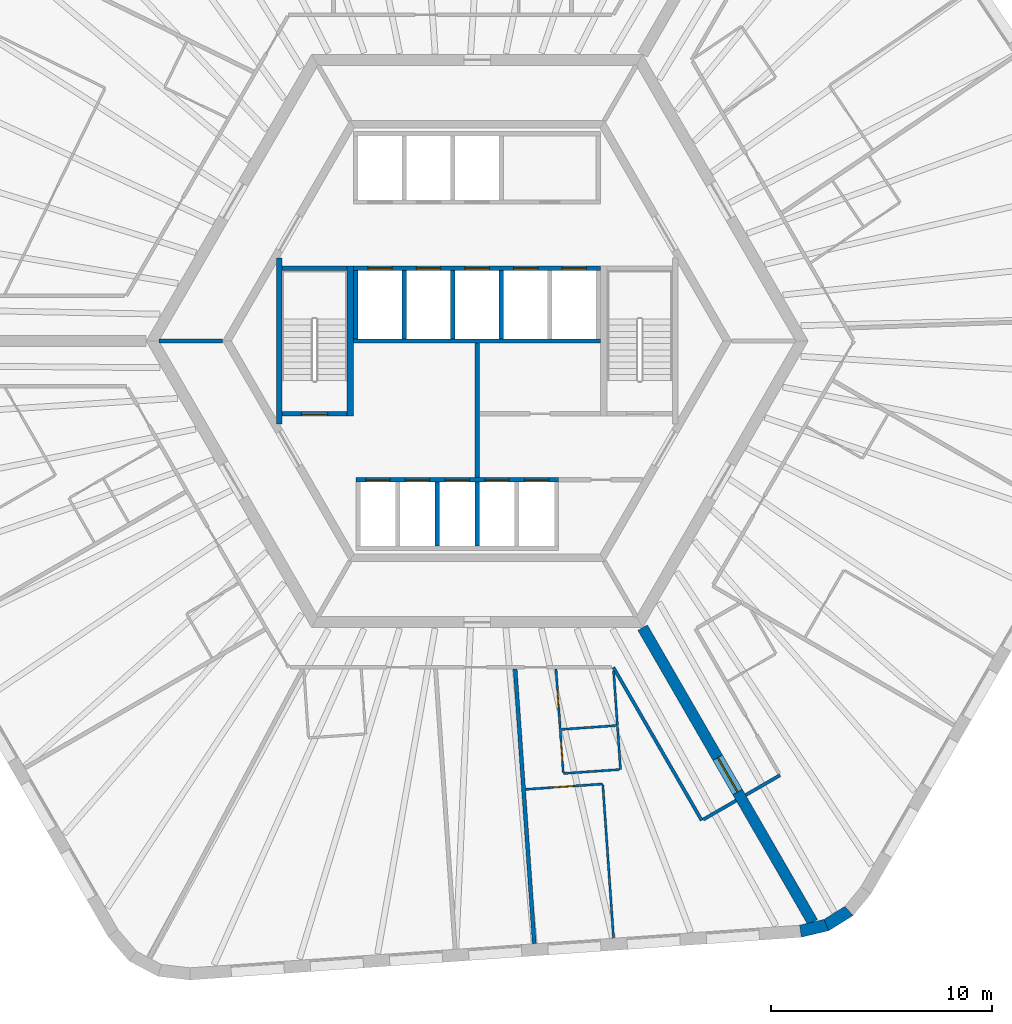
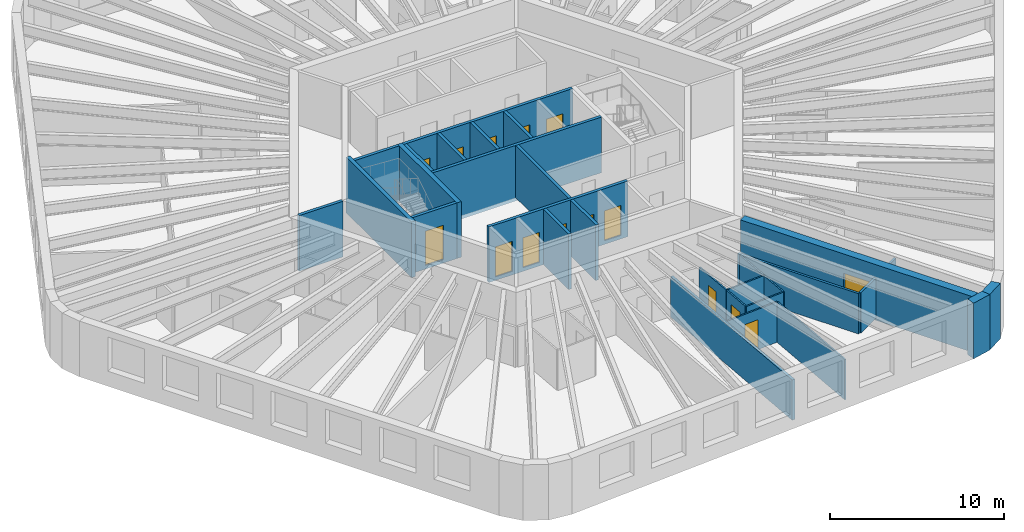
# One storey, part 4 of 10: 30 walls, 15 doors, 15 openings.
"""IFC4 building model written with IfcOpenShell, lengths in metres."""

import ifcopenshell
import ifcopenshell.guid

model = None  # the IFC model being written
_history = None  # IfcOwnerHistory: only IFC2X3 demands one
_inside = {}  # id of a spatial element -> (the spatial element, [elements in it])
_under = {}  # id of a project, library or spatial element -> (it, [spatial elements below it])
_declared = {}  # id of a project -> (the project, [libraries it declares])
_typed = {}  # id of a type object -> (the type object, [elements of that type])
_made_of = {}  # id of a material, layer set ... -> (it, [elements and type objects made of it])


def new_model(schema):
    """Start an empty IFC model of exactly this schema.

    Asked for "IFC4X3", IfcOpenShell would pick the latest addendum, in which some entities
    have other attributes; the version numbers below select the first issue.
    IFC2X3 requires an IfcOwnerHistory on every rooted entity: one is made here for all.
    """
    global model, _history
    if schema == "IFC4X3":
        model = ifcopenshell.file(schema_version=(4, 3, 0, 0))
    else:
        model = ifcopenshell.file(schema=schema)
    _inside.clear()
    _under.clear()
    _declared.clear()
    _typed.clear()
    _made_of.clear()
    _history = None
    if model.schema == "IFC2X3":
        org = make("IfcOrganization", Name="unknown")
        user = make(
            "IfcPersonAndOrganization",
            ThePerson=make("IfcPerson", FamilyName="unknown"),
            TheOrganization=org,
        )
        app = make(
            "IfcApplication",
            ApplicationDeveloper=org,
            Version="unknown",
            ApplicationFullName="unknown",
            ApplicationIdentifier="unknown",
        )
        _history = make(
            "IfcOwnerHistory",
            OwningUser=user,
            OwningApplication=app,
            ChangeAction="ADDED",
            CreationDate=0,
        )
    return model


def make(cls, **values):
    """One entity of the class cls with the attributes given. An attribute that is None is left unset."""
    return model.create_entity(
        cls, **{name: value for name, value in values.items() if value is not None}
    )


def rooted(cls, **values):
    """An entity with a GlobalId (a new one), such as an element, a storey or a relation."""
    return make(cls, GlobalId=ifcopenshell.guid.new(), OwnerHistory=_history, **values)


def si_unit(unit_type, name, prefix=None):
    """IfcSIUnit, for example si_unit("LENGTHUNIT", "METRE", prefix="MILLI")."""
    return make("IfcSIUnit", UnitType=unit_type, Prefix=prefix, Name=name)


def assignment(units):
    """IfcUnitAssignment: the units of a project."""
    return None if units is None else make("IfcUnitAssignment", Units=units)


def point(xyz):
    """IfcCartesianPoint."""
    return None if xyz is None else make("IfcCartesianPoint", Coordinates=xyz)


def direction(xyz):
    """IfcDirection."""
    return None if xyz is None else make("IfcDirection", DirectionRatios=xyz)


def frame(location, z_axis=None, x_axis=None):
    """IfcAxis2Placement3D, a coordinate frame: its origin and axes. An axis left out is left unset."""
    return make(
        "IfcAxis2Placement3D",
        Location=point(location),
        Axis=direction(z_axis),
        RefDirection=direction(x_axis),
    )


def frame_2d(location, x_axis=None):
    """IfcAxis2Placement2D, a coordinate frame in the plane: its origin and x axis."""
    return make(
        "IfcAxis2Placement2D", Location=point(location), RefDirection=direction(x_axis)
    )


def origin():
    """The frame at (0, 0, 0) with its axes left unset."""
    return frame((0.0, 0.0, 0.0))


def place(relative_to, where):
    """IfcLocalPlacement: puts the frame where relative to a parent placement (None: the world)."""
    return make(
        "IfcLocalPlacement", PlacementRelTo=relative_to, RelativePlacement=where
    )


def context(
    kind, dimensions, precision=None, world=None, true_north=None, identifier=None
):
    """IfcGeometricRepresentationContext, for example the 3D "Model" context."""
    return make(
        "IfcGeometricRepresentationContext",
        ContextIdentifier=identifier,
        ContextType=kind,
        CoordinateSpaceDimension=dimensions,
        Precision=precision,
        WorldCoordinateSystem=world,
        TrueNorth=true_north,
    )


def subcontext(parent, identifier, kind, view, scale=None):
    """IfcGeometricRepresentationSubContext, for example "Body" below "Model"."""
    return make(
        "IfcGeometricRepresentationSubContext",
        ContextIdentifier=identifier,
        ContextType=kind,
        ParentContext=parent,
        TargetScale=scale,
        TargetView=view,
    )


def project(units=None, contexts=None):
    """IfcProject with its units and contexts."""
    return rooted(
        "IfcProject",
        Name="project",
        RepresentationContexts=contexts,
        UnitsInContext=assignment(units),
    )


def spatial(cls, under=None, at=None, **own):
    """A site, building, storey or space (cls), placed at a placement, below another one or the project."""
    s = rooted(cls, ObjectPlacement=at, **own)
    if under is not None:
        _under.setdefault(under.id(), (under, []))[1].append(s)
    return s


def polyline(points):
    """IfcPolyline through the points."""
    return make("IfcPolyline", Points=[point(p) for p in points])


def profile(cls, at=None, kind="AREA", **sizes):
    """A parametric profile (cls). Its sizes go by their IFC names, for example OverallWidth=200.0."""
    return make(cls, ProfileType=kind, Position=at, **sizes)


def rectangle(**sizes):
    """IfcRectangleProfileDef."""
    return profile("IfcRectangleProfileDef", **sizes)


def outline(outer, holes=None, kind="AREA"):
    """IfcArbitraryClosedProfileDef: a profile drawn as a closed curve; with holes, ...WithVoids."""
    if holes is None:
        return make("IfcArbitraryClosedProfileDef", ProfileType=kind, OuterCurve=outer)
    return make(
        "IfcArbitraryProfileDefWithVoids",
        ProfileType=kind,
        OuterCurve=outer,
        InnerCurves=holes,
    )


def extrude(swept, where, along, depth):
    """IfcExtrudedAreaSolid: the profile swept, set in the frame where, extruded along a direction by depth."""
    return make(
        "IfcExtrudedAreaSolid",
        SweptArea=swept,
        Position=where,
        ExtrudedDirection=direction(along),
        Depth=depth,
    )


def shape(context_of_items, identifier, shape_type, items):
    """IfcShapeRepresentation: the items that make up one representation, for example the "Body"."""
    return make(
        "IfcShapeRepresentation",
        ContextOfItems=context_of_items,
        RepresentationIdentifier=identifier,
        RepresentationType=shape_type,
        Items=items,
    )


def material(Name=None, Category=None):
    """IfcMaterial."""
    return make("IfcMaterial", Name=Name, Category=Category)


def layer(
    of_material, thickness, ventilated=None, Name=None, Category=None, Priority=None
):
    """IfcMaterialLayer: one layer of a wall or slab, of a material (None: an air gap)."""
    return make(
        "IfcMaterialLayer",
        Material=of_material,
        LayerThickness=thickness,
        IsVentilated=ventilated,
        Name=Name,
        Category=Category,
        Priority=Priority,
    )


def layer_set(layers, Name=None):
    """IfcMaterialLayerSet."""
    return make("IfcMaterialLayerSet", MaterialLayers=layers, LayerSetName=Name)


def made_of(thing, what):
    """Note that an element or type object is made of a material, layer set ...; save() writes the relation."""
    if what is not None:
        _made_of.setdefault(what.id(), (what, []))[1].append(thing)
    return thing


def type_object(cls, material=None, **own):
    """A type object (cls), such as IfcWallType, which elements share."""
    return made_of(rooted(cls, **own), material)


def element(
    cls,
    number,
    at=None,
    inside=None,
    cuts=None,
    type_object=None,
    material=None,
    context=None,
    identifier="Body",
    shape_type=None,
    held_by="IfcProductDefinitionShape",
    body=None,
    shapes=None,
    **own,
):
    """One element of the class cls, such as IfcWall. Its Tag is "e" and its number.

    at: its placement. inside: the storey or other place that contains it. cuts: it is an
    opening in that element (IfcRelVoidsElement). A single representation is given by context,
    identifier, shape_type and body (its items); several are given by shapes. held_by: the class
    of the entity that holds the representations. save() writes the other relations.
    """
    e = rooted(cls, Tag="e%d" % number, ObjectPlacement=at, **own)
    if body is not None:
        shapes = [shape(context, identifier, shape_type, body)]
    if shapes is not None:
        e.Representation = make(held_by, Representations=shapes)
    if inside is not None:
        _inside.setdefault(inside.id(), (inside, []))[1].append(e)
    if cuts is not None:
        rooted(
            "IfcRelVoidsElement", RelatingBuildingElement=cuts, RelatedOpeningElement=e
        )
    if type_object is not None:
        _typed.setdefault(type_object.id(), (type_object, []))[1].append(e)
    return made_of(e, material)


def fill(opening, filler):
    """IfcRelFillsElement: the door or window that sits in an opening."""
    return rooted(
        "IfcRelFillsElement",
        RelatingOpeningElement=opening,
        RelatedBuildingElement=filler,
    )


def aggregate(whole, parts):
    """IfcRelAggregates: a whole, such as a stair, and the parts it consists of."""
    return rooted("IfcRelAggregates", RelatingObject=whole, RelatedObjects=parts)


def save(model, path):
    """Write the relations noted so far, then the file.

    IfcRelAggregates (storeys below a building ...), IfcRelContainedInSpatialStructure (elements
    in a storey), IfcRelDefinesByType, IfcRelAssociatesMaterial and IfcRelDeclares: one each for
    every whole, place, type object, material and project.
    """
    for whole, parts in _under.values():
        aggregate(whole, parts)
    for where, things in _inside.values():
        rooted(
            "IfcRelContainedInSpatialStructure",
            RelatedElements=things,
            RelatingStructure=where,
        )
    for kind, things in _typed.values():
        rooted("IfcRelDefinesByType", RelatedObjects=things, RelatingType=kind)
    for what, things in _made_of.values():
        rooted("IfcRelAssociatesMaterial", RelatedObjects=things, RelatingMaterial=what)
    for by, libraries in _declared.values():
        rooted("IfcRelDeclares", RelatingContext=by, RelatedDefinitions=libraries)
    model.write(path)


model = new_model("IFC4")

# Units and contexts
model_context = context("Model", 3, precision=1e-05, world=origin(), true_north=direction((0.0, 1.0)))
body_context = subcontext(model_context, "Body", "Model", "MODEL_VIEW")
ifc_project = project(units=[si_unit("LENGTHUNIT", "METRE"), si_unit("AREAUNIT", "SQUARE_METRE"), si_unit("VOLUMEUNIT", "CUBIC_METRE"), si_unit("PLANEANGLEUNIT", "RADIAN"), si_unit("MASSUNIT", "GRAM", prefix="KILO")], contexts=[model_context])

# Site, building, storey
site_placement = place(None, origin())
site = spatial("IfcSite", under=ifc_project, at=site_placement, CompositionType="ELEMENT")
building_placement = place(site_placement, origin())
building = spatial("IfcBuilding", under=site, at=building_placement, Name="Tarnside Tower", CompositionType="ELEMENT")
storey_placement = place(building_placement, frame((0.0, 0.0, 160.5)))
storey = spatial("IfcBuildingStorey", under=building, at=storey_placement, Name="L37", CompositionType="ELEMENT", Elevation=160.5)

# Wall, opening, door
ifc_material_1 = material(Name="Gypsum board partition on steel studs", Category="steel")
ifc_layer_1 = layer(ifc_material_1, 0.10009765625)
ifc_layer_set_1 = layer_set([ifc_layer_1], Name="Bathroom wall 100")
wall_type_1 = type_object("IfcWallType", Name="Bathroom wall 100", PredefinedType="PARTITIONING", material=ifc_layer_set_1)
wall_1_placement = place(storey_placement, frame((3.7685546875, -17.619384765625, 0.0), z_axis=(0.0, 0.0, 1.0), x_axis=(-0.06975229722, 0.997564342302, 0.0)))
wall_1 = element("IfcWall", 1, at=wall_1_placement, inside=storey, type_object=wall_type_1, Name="Bathroom wall 11086", PredefinedType="PARTITIONING", context=body_context, shape_type="SweptSolid", body=[
    extrude(rectangle(XDim=2.7509765625, YDim=0.10009765625, at=frame_2d((1.37548828125, 0.0))), origin(), (0.0, 0.0, 1.0), 2.823486328125),
])
opening_1_placement = place(wall_1_placement, frame((1.0, 0.0, 0.0)))
opening_1 = element("IfcOpeningElement", 2, at=opening_1_placement, cuts=wall_1, Name="Opening D-B1", PredefinedType="OPENING", context=body_context, shape_type="SweptSolid", body=[
    extrude(rectangle(XDim=0.800048828125, YDim=2.10009765625, at=frame_2d((0.39990234375, 1.050048828125))), frame((0.0, 0.06005859375, 0.0), z_axis=(0.0, -1.0, 0.0), x_axis=(1.0, 0.0, 0.0)), (0.0, 0.0, 1.0), 0.1201171875),
])
ifc_material_2 = material(Name="Timber door leaf", Category="wood")
door_type_1 = type_object("IfcDoorType", Name="Bathroom door 800", OperationType="NOTDEFINED", PredefinedType="DOOR", material=ifc_material_2)
door_1_placement = place(opening_1_placement, origin())
door_1 = element("IfcDoor", 3, at=door_1_placement, inside=storey, type_object=door_type_1, Name="Bathroom door 11022", OperationType="SINGLE_SWING_RIGHT", OverallHeight=2.10009765625, OverallWidth=0.800048828125, PredefinedType="DOOR", context=body_context, shape_type="SweptSolid", body=[
    extrude(rectangle(XDim=0.800048828125, YDim=2.10009765625, at=frame_2d((0.39990234375, 1.050048828125))), frame((0.0, 0.02490234375, 0.0), z_axis=(0.0, -1.0, 0.0), x_axis=(1.0, 0.0, 0.0)), (0.0, 0.0, 1.0), 0.050048828125),
])
fill(opening_1, door_1)

# Walls
wall_2_placement = place(storey_placement, frame((6.189697265625, -14.970703125, 0.0), z_axis=(0.0, 0.0, 1.0), x_axis=(0.069689641529, -0.997568721374, 0.0)))
element("IfcWall", 4, at=wall_2_placement, inside=storey, type_object=wall_type_1, Name="Bathroom wall 11087", PredefinedType="PARTITIONING", context=body_context, shape_type="SweptSolid", body=[
    extrude(rectangle(XDim=2.473388671875, YDim=0.10009765625, at=frame_2d((1.23681640625, 0.0))), origin(), (0.0, 0.0, 1.0), 2.823486328125),
])
wall_3_placement = place(storey_placement, frame((3.818359375, -17.615966796875, 0.0), z_axis=(0.0, 0.0, 1.0), x_axis=(0.99755930726, 0.069824268692, 0.0)))
element("IfcWall", 5, at=wall_3_placement, inside=storey, type_object=wall_type_1, Name="Bathroom wall 11093", PredefinedType="PARTITIONING", context=body_context, shape_type="SweptSolid", body=[
    extrude(rectangle(XDim=2.5, YDim=0.10009765625, at=frame_2d((1.25, 0.0))), origin(), (0.0, 0.0, 1.0), 2.823486328125),
])
ifc_material_3 = material(Name="Concrete C40/50", Category="concrete")
ifc_layer_2 = layer(ifc_material_3, 0.199951171875)
ifc_layer_set_2 = layer_set([ifc_layer_2], Name="Core room partition 200 C40/50")
wall_type_2 = type_object("IfcWallType", Name="Core room partition 200 C40/50", PredefinedType="PARTITIONING", material=ifc_layer_set_2)
wall_4_placement = place(storey_placement, frame((0.0, -6.199951171875, 0.0), z_axis=(0.0, 0.0, 1.0), x_axis=(0.0, 1.0, 0.0)))
element("IfcWall", 6, at=wall_4_placement, inside=storey, type_object=wall_type_2, Name="L37 core partition X0", PredefinedType="PARTITIONING", context=body_context, shape_type="SweptSolid", body=[
    extrude(rectangle(XDim=6.099853515625, YDim=0.199951171875, at=frame_2d((3.0498046875, 0.0))), origin(), (0.0, 0.0, 1.0), 3.64990234375),
])

# Wall, opening, door
ifc_material_4 = material(Name="Concrete C70/85", Category="concrete")
ifc_layer_3 = layer(ifc_material_4, 0.5)
ifc_layer_set_3 = layer_set([ifc_layer_3], Name="Core wall Z2 500 C70/85")
wall_type_3 = type_object("IfcWallType", Name="Core wall Z2 500 C70/85", PredefinedType="SHEAR", material=ifc_layer_set_3)
wall_5_placement = place(storey_placement, frame((7.505615234375, -13.0, -0.14990234375), z_axis=(0.0, 0.0, 1.0), x_axis=(0.499988271576, -0.866032175087, 0.0)))
wall_5 = element("IfcWall", 7, at=wall_5_placement, inside=storey, type_object=wall_type_3, Name="L37 spine wall 3", PredefinedType="SHEAR", context=body_context, shape_type="SweptSolid", body=[
    extrude(rectangle(XDim=15.423583984375, YDim=0.5, at=frame_2d((7.7119140625, 0.0))), origin(), (0.0, 0.0, 1.0), 3.89990234375),
])
opening_2_placement = place(wall_5_placement, frame((6.811767578125, 0.0, 0.14990234375)))
opening_2 = element("IfcOpeningElement", 8, at=opening_2_placement, cuts=wall_5, Name="Opening CD-SPN", PredefinedType="OPENING", context=body_context, shape_type="SweptSolid", body=[
    extrude(rectangle(XDim=1.800048828125, YDim=2.39990234375, at=frame_2d((0.89990234375, 1.199951171875))), frame((0.0, 0.260009765625, 0.0), z_axis=(0.0, -1.0, 0.0), x_axis=(1.0, 0.0, 0.0)), (0.0, 0.0, 1.0), 0.52001953125),
])
ifc_material_5 = material(Name="Steel fire door", Category="steel")
door_type_2 = type_object("IfcDoorType", Name="Spine passage double door FD60 1800x2400", OperationType="NOTDEFINED", PredefinedType="DOOR", material=ifc_material_5)
door_2_placement = place(opening_2_placement, origin())
door_2 = element("IfcDoor", 9, at=door_2_placement, inside=storey, type_object=door_type_2, Name="L37 spine passage door 3", OperationType="DOUBLE_DOOR_SINGLE_SWING", OverallHeight=2.39990234375, OverallWidth=1.800048828125, PredefinedType="DOOR", context=body_context, shape_type="SweptSolid", body=[
    extrude(rectangle(XDim=1.800048828125, YDim=2.39990234375, at=frame_2d((0.89990234375, 1.199951171875))), frame((0.0, 0.02490234375, 0.0), z_axis=(0.0, -1.0, 0.0), x_axis=(1.0, 0.0, 0.0)), (0.0, 0.0, 1.0), 0.050048828125),
])
fill(opening_2, door_2)

# Walls
ifc_layer_4 = layer(ifc_material_1, 0.14990234375)
ifc_layer_set_4 = layer_set([ifc_layer_4], Name="Corridor wall 150 EI 60")
wall_type_4 = type_object("IfcWallType", Name="Corridor wall 150 EI 60", PredefinedType="PARTITIONING", material=ifc_layer_set_4)
wall_6_placement = place(storey_placement, frame((6.177734375, -14.800048828125, 0.0), z_axis=(0.0, 0.0, 1.0), x_axis=(0.499984309814, -0.866034462328, 0.0)))
element("IfcWall", 10, at=wall_6_placement, inside=storey, type_object=wall_type_4, Name="Corridor wall 11029", PredefinedType="PARTITIONING", context=body_context, shape_type="SweptSolid", body=[
    extrude(rectangle(XDim=8.016845703125, YDim=0.14990234375, at=frame_2d((4.00830078125, 0.0))), origin(), (0.0, 0.0, 1.0), 2.823486328125),
])
wall_7_placement = place(storey_placement, frame((10.2509765625, -21.705322265625, 0.0), z_axis=(0.0, 0.0, 1.0), x_axis=(0.866013532718, 0.500020560727, 0.0)))
element("IfcWall", 11, at=wall_7_placement, inside=storey, type_object=wall_type_4, Name="Corridor wall 11030", PredefinedType="PARTITIONING", context=body_context, shape_type="SweptSolid", body=[
    extrude(rectangle(XDim=1.72509765625, YDim=0.14990234375, at=frame_2d((0.862548828125, 0.0))), origin(), (0.0, 0.0, 1.0), 2.823486328125),
])
wall_8_placement = place(storey_placement, frame((12.177978515625, -20.5927734375, 0.0), z_axis=(0.0, 0.0, 1.0), x_axis=(0.866047807691, 0.499961193289, 0.0)))
element("IfcWall", 12, at=wall_8_placement, inside=storey, type_object=wall_type_4, Name="Corridor wall 11032", PredefinedType="PARTITIONING", context=body_context, shape_type="SweptSolid", body=[
    extrude(rectangle(XDim=1.800048828125, YDim=0.14990234375, at=frame_2d((0.89990234375, 0.0))), origin(), (0.0, 0.0, 1.0), 2.823486328125),
])
ifc_layer_5 = layer(ifc_material_1, 0.179931640625)
ifc_layer_set_5 = layer_set([ifc_layer_5], Name="Demising wall 180 EI 60")
wall_type_5 = type_object("IfcWallType", Name="Demising wall 180 EI 60", PredefinedType="PARTITIONING", material=ifc_layer_set_5)
wall_9_placement = place(storey_placement, frame((2.59521484375, -27.33544921875, 0.0), z_axis=(0.0, 0.0, 1.0), x_axis=(-0.069757939761, 0.997563947745, 0.0)))
element("IfcWall", 13, at=wall_9_placement, inside=storey, type_object=wall_type_5, Name="Demising wall 11084", PredefinedType="PARTITIONING", context=body_context, shape_type="SweptSolid", body=[
    extrude(rectangle(XDim=12.490966796875, YDim=0.179931640625, at=frame_2d((6.24560546875, 0.0))), origin(), (0.0, 0.0, 1.0), 2.823486328125),
])

# Wall, openings, doors
ifc_layer_6 = layer(ifc_material_3, 0.199951171875)
ifc_layer_set_6 = layer_set([ifc_layer_6], Name="Lift shaft wall 200 C40/50")
wall_type_6 = type_object("IfcWallType", Name="Lift shaft wall 200 C40/50", PredefinedType="SHEAR", material=ifc_layer_set_6)
wall_10_placement = place(storey_placement, frame((-5.60009765625, 3.300048828125, -0.25), z_axis=(0.0, 0.0, 1.0), x_axis=(1.0, 0.0, 0.0)))
wall_10 = element("IfcWall", 14, at=wall_10_placement, inside=storey, type_object=wall_type_6, Name="L37 lift shaft front wall R2", PredefinedType="SHEAR", context=body_context, shape_type="SweptSolid", body=[
    extrude(rectangle(XDim=11.2001953125, YDim=0.199951171875, at=frame_2d((5.60009765625, 0.0))), origin(), (0.0, 0.0, 1.0), 3.89990234375),
])
opening_3_placement = place(wall_10_placement, frame((0.64990234375, 0.0, 0.25)))
opening_3 = element("IfcOpeningElement", 15, at=opening_3_placement, cuts=wall_10, Name="Opening LD", PredefinedType="OPENING", context=body_context, shape_type="SweptSolid", body=[
    extrude(rectangle(XDim=1.10009765625, YDim=2.10009765625, at=frame_2d((0.550048828125, 1.050048828125))), frame((0.0, 0.10986328125, 0.0), z_axis=(0.0, -1.0, 0.0), x_axis=(1.0, 0.0, 0.0)), (0.0, 0.0, 1.0), 0.219970703125),
])
opening_4_placement = place(wall_10_placement, frame((2.85009765625, 0.0, 0.25)))
opening_4 = element("IfcOpeningElement", 16, at=opening_4_placement, cuts=wall_10, Name="Opening LD", PredefinedType="OPENING", context=body_context, shape_type="SweptSolid", body=[
    extrude(rectangle(XDim=1.10009765625, YDim=2.10009765625, at=frame_2d((0.550048828125, 1.050048828125))), frame((0.0, 0.10986328125, 0.0), z_axis=(0.0, -1.0, 0.0), x_axis=(1.0, 0.0, 0.0)), (0.0, 0.0, 1.0), 0.219970703125),
])
opening_5_placement = place(wall_10_placement, frame((5.050048828125, 0.0, 0.25)))
opening_5 = element("IfcOpeningElement", 17, at=opening_5_placement, cuts=wall_10, Name="Opening LD", PredefinedType="OPENING", context=body_context, shape_type="SweptSolid", body=[
    extrude(rectangle(XDim=1.10009765625, YDim=2.10009765625, at=frame_2d((0.550048828125, 1.050048828125))), frame((0.0, 0.10986328125, 0.0), z_axis=(0.0, -1.0, 0.0), x_axis=(1.0, 0.0, 0.0)), (0.0, 0.0, 1.0), 0.219970703125),
])
opening_6_placement = place(wall_10_placement, frame((7.25, 0.0, 0.25)))
opening_6 = element("IfcOpeningElement", 18, at=opening_6_placement, cuts=wall_10, Name="Opening LD", PredefinedType="OPENING", context=body_context, shape_type="SweptSolid", body=[
    extrude(rectangle(XDim=1.10009765625, YDim=2.10009765625, at=frame_2d((0.550048828125, 1.050048828125))), frame((0.0, 0.10986328125, 0.0), z_axis=(0.0, -1.0, 0.0), x_axis=(1.0, 0.0, 0.0)), (0.0, 0.0, 1.0), 0.219970703125),
])
opening_7_placement = place(wall_10_placement, frame((9.449951171875, 0.0, 0.25)))
opening_7 = element("IfcOpeningElement", 19, at=opening_7_placement, cuts=wall_10, Name="Opening LD", PredefinedType="OPENING", context=body_context, shape_type="SweptSolid", body=[
    extrude(rectangle(XDim=1.10009765625, YDim=2.10009765625, at=frame_2d((0.550048828125, 1.050048828125))), frame((0.0, 0.10986328125, 0.0), z_axis=(0.0, -1.0, 0.0), x_axis=(1.0, 0.0, 0.0)), (0.0, 0.0, 1.0), 0.219970703125),
])
ifc_material_6 = material(Name="Stainless steel", Category="steel")
door_type_3 = type_object("IfcDoorType", Name="Lift landing door 1100x2100", OperationType="NOTDEFINED", PredefinedType="DOOR", material=ifc_material_6)
door_3_placement = place(opening_3_placement, origin())
door_3 = element("IfcDoor", 20, at=door_3_placement, inside=storey, type_object=door_type_3, Name="Mid-rise lift 4 landing door L37", OperationType="SLIDING_TO_LEFT", OverallHeight=2.10009765625, OverallWidth=1.10009765625, PredefinedType="DOOR", context=body_context, shape_type="SweptSolid", body=[
    extrude(rectangle(XDim=1.10009765625, YDim=2.10009765625, at=frame_2d((0.550048828125, 1.050048828125))), frame((0.0, 0.02490234375, 0.0), z_axis=(0.0, -1.0, 0.0), x_axis=(1.0, 0.0, 0.0)), (0.0, 0.0, 1.0), 0.050048828125),
])
fill(opening_3, door_3)
door_4_placement = place(opening_4_placement, origin())
door_4 = element("IfcDoor", 21, at=door_4_placement, inside=storey, type_object=door_type_3, Name="Mid-rise lift 5 landing door L37", OperationType="SLIDING_TO_LEFT", OverallHeight=2.10009765625, OverallWidth=1.10009765625, PredefinedType="DOOR", context=body_context, shape_type="SweptSolid", body=[
    extrude(rectangle(XDim=1.10009765625, YDim=2.10009765625, at=frame_2d((0.550048828125, 1.050048828125))), frame((0.0, 0.02490234375, 0.0), z_axis=(0.0, -1.0, 0.0), x_axis=(1.0, 0.0, 0.0)), (0.0, 0.0, 1.0), 0.050048828125),
])
fill(opening_4, door_4)
door_5_placement = place(opening_5_placement, origin())
door_5 = element("IfcDoor", 22, at=door_5_placement, inside=storey, type_object=door_type_3, Name="Mid-rise lift 6 landing door L37", OperationType="SLIDING_TO_LEFT", OverallHeight=2.10009765625, OverallWidth=1.10009765625, PredefinedType="DOOR", context=body_context, shape_type="SweptSolid", body=[
    extrude(rectangle(XDim=1.10009765625, YDim=2.10009765625, at=frame_2d((0.550048828125, 1.050048828125))), frame((0.0, 0.02490234375, 0.0), z_axis=(0.0, -1.0, 0.0), x_axis=(1.0, 0.0, 0.0)), (0.0, 0.0, 1.0), 0.050048828125),
])
fill(opening_5, door_5)
door_6_placement = place(opening_6_placement, origin())
door_6 = element("IfcDoor", 23, at=door_6_placement, inside=storey, type_object=door_type_3, Name="High sky-lobby shuttle 1 landing door L37", OperationType="SLIDING_TO_LEFT", OverallHeight=2.10009765625, OverallWidth=1.10009765625, PredefinedType="DOOR", context=body_context, shape_type="SweptSolid", body=[
    extrude(rectangle(XDim=1.10009765625, YDim=2.10009765625, at=frame_2d((0.550048828125, 1.050048828125))), frame((0.0, 0.02490234375, 0.0), z_axis=(0.0, -1.0, 0.0), x_axis=(1.0, 0.0, 0.0)), (0.0, 0.0, 1.0), 0.050048828125),
])
fill(opening_6, door_6)
door_7_placement = place(opening_7_placement, origin())
door_7 = element("IfcDoor", 24, at=door_7_placement, inside=storey, type_object=door_type_3, Name="Express sky-lobby shuttle 2 landing door L37", OperationType="SLIDING_TO_LEFT", OverallHeight=2.10009765625, OverallWidth=1.10009765625, PredefinedType="DOOR", context=body_context, shape_type="SweptSolid", body=[
    extrude(rectangle(XDim=1.10009765625, YDim=2.10009765625, at=frame_2d((0.550048828125, 1.050048828125))), frame((0.0, 0.02490234375, 0.0), z_axis=(0.0, -1.0, 0.0), x_axis=(1.0, 0.0, 0.0)), (0.0, 0.0, 1.0), 0.050048828125),
])
fill(opening_7, door_7)

# Walls
wall_11_placement = place(storey_placement, frame((-5.60009765625, 0.0, -0.25), z_axis=(0.0, 0.0, 1.0), x_axis=(1.0, 0.0, 0.0)))
element("IfcWall", 25, at=wall_11_placement, inside=storey, type_object=wall_type_6, Name="L37 lift shaft back wall R2", PredefinedType="SHEAR", context=body_context, shape_type="SweptSolid", body=[
    extrude(rectangle(XDim=11.2001953125, YDim=0.199951171875, at=frame_2d((5.60009765625, 0.0))), origin(), (0.0, 0.0, 1.0), 3.89990234375),
])
for number, where, z_axis, x_axis, name in (
    (26, (-5.5, 0.10009765625, -0.25), (0.0, 0.0, 1.0), (0.0, 1.0, 0.0), "L37 lift shaft partition R21"),
    (27, (-3.300048828125, 0.10009765625, -0.25), (0.0, 0.0, 1.0), (0.0, 1.0, 0.0), "L37 lift shaft partition R22"),
    (28, (-1.10009765625, 0.10009765625, -0.25), (0.0, 0.0, 1.0), (0.0, 1.0, 0.0), "L37 lift shaft partition R23"),
    (29, (1.10009765625, 0.10009765625, -0.25), (0.0, 0.0, 1.0), (0.0, 1.0, 0.0), "L37 lift shaft partition R24"),
):
    element("IfcWall", number, at=place(storey_placement, frame(where, z_axis=z_axis, x_axis=x_axis)), inside=storey, type_object=wall_type_6, Name=name, PredefinedType="SHEAR", context=body_context, shape_type="SweptSolid", body=[
        extrude(rectangle(XDim=3.099853515625, YDim=0.199951171875, at=frame_2d((1.5498046875, 0.0))), origin(), (0.0, 0.0, 1.0), 3.89990234375),
    ])

# Wall, openings, doors
wall_12_placement = place(storey_placement, frame((-5.5, -6.300048828125, -0.25), z_axis=(0.0, 0.0, 1.0), x_axis=(1.0, 0.0, 0.0)))
wall_12 = element("IfcWall", 30, at=wall_12_placement, inside=storey, type_object=wall_type_6, Name="L37 lift shaft front wall R4", PredefinedType="SHEAR", context=body_context, shape_type="SweptSolid", body=[
    extrude(rectangle(XDim=9.199951171875, YDim=0.199951171875, at=frame_2d((4.60009765625, 0.0))), origin(), (0.0, 0.0, 1.0), 3.89990234375),
])
opening_8_placement = place(wall_12_placement, frame((0.449951171875, 0.0, 0.25)))
opening_8 = element("IfcOpeningElement", 31, at=opening_8_placement, cuts=wall_12, Name="Opening LDF", PredefinedType="OPENING", context=body_context, shape_type="SweptSolid", body=[
    extrude(rectangle(XDim=1.10009765625, YDim=2.10009765625, at=frame_2d((0.550048828125, 1.050048828125))), frame((0.0, 0.10986328125, 0.0), z_axis=(0.0, -1.0, 0.0), x_axis=(1.0, 0.0, 0.0)), (0.0, 0.0, 1.0), 0.219970703125),
])
opening_9_placement = place(wall_12_placement, frame((2.25, 0.0, 0.25)))
opening_9 = element("IfcOpeningElement", 32, at=opening_9_placement, cuts=wall_12, Name="Opening LDF", PredefinedType="OPENING", context=body_context, shape_type="SweptSolid", body=[
    extrude(rectangle(XDim=1.10009765625, YDim=2.10009765625, at=frame_2d((0.550048828125, 1.050048828125))), frame((0.0, 0.10986328125, 0.0), z_axis=(0.0, -1.0, 0.0), x_axis=(1.0, 0.0, 0.0)), (0.0, 0.0, 1.0), 0.219970703125),
])
opening_10_placement = place(wall_12_placement, frame((4.050048828125, 0.0, 0.25)))
opening_10 = element("IfcOpeningElement", 33, at=opening_10_placement, cuts=wall_12, Name="Opening LDF", PredefinedType="OPENING", context=body_context, shape_type="SweptSolid", body=[
    extrude(rectangle(XDim=1.10009765625, YDim=2.10009765625, at=frame_2d((0.550048828125, 1.050048828125))), frame((0.0, 0.10986328125, 0.0), z_axis=(0.0, -1.0, 0.0), x_axis=(1.0, 0.0, 0.0)), (0.0, 0.0, 1.0), 0.219970703125),
])
opening_11_placement = place(wall_12_placement, frame((5.85009765625, 0.0, 0.25)))
opening_11 = element("IfcOpeningElement", 34, at=opening_11_placement, cuts=wall_12, Name="Opening LDF", PredefinedType="OPENING", context=body_context, shape_type="SweptSolid", body=[
    extrude(rectangle(XDim=1.10009765625, YDim=2.10009765625, at=frame_2d((0.550048828125, 1.050048828125))), frame((0.0, 0.10986328125, 0.0), z_axis=(0.0, -1.0, 0.0), x_axis=(1.0, 0.0, 0.0)), (0.0, 0.0, 1.0), 0.219970703125),
])
opening_12_placement = place(wall_12_placement, frame((7.64990234375, 0.0, 0.25)))
opening_12 = element("IfcOpeningElement", 35, at=opening_12_placement, cuts=wall_12, Name="Opening LDF", PredefinedType="OPENING", context=body_context, shape_type="SweptSolid", body=[
    extrude(rectangle(XDim=1.10009765625, YDim=2.10009765625, at=frame_2d((0.550048828125, 1.050048828125))), frame((0.0, 0.10986328125, 0.0), z_axis=(0.0, -1.0, 0.0), x_axis=(1.0, 0.0, 0.0)), (0.0, 0.0, 1.0), 0.219970703125),
])
door_type_4 = type_object("IfcDoorType", Name="Lift landing door 1100x2100 EI 120", OperationType="NOTDEFINED", PredefinedType="DOOR", material=ifc_material_6)
door_8_placement = place(opening_8_placement, origin())
door_8 = element("IfcDoor", 36, at=door_8_placement, inside=storey, type_object=door_type_4, Name="Firefighting lift 1 landing door L37", OperationType="SLIDING_TO_LEFT", OverallHeight=2.10009765625, OverallWidth=1.10009765625, PredefinedType="DOOR", context=body_context, shape_type="SweptSolid", body=[
    extrude(rectangle(XDim=1.10009765625, YDim=2.10009765625, at=frame_2d((0.550048828125, 1.050048828125))), frame((0.0, 0.02490234375, 0.0), z_axis=(0.0, -1.0, 0.0), x_axis=(1.0, 0.0, 0.0)), (0.0, 0.0, 1.0), 0.050048828125),
])
fill(opening_8, door_8)
door_9_placement = place(opening_9_placement, origin())
door_9 = element("IfcDoor", 37, at=door_9_placement, inside=storey, type_object=door_type_4, Name="Firefighting lift 2 landing door L37", OperationType="SLIDING_TO_LEFT", OverallHeight=2.10009765625, OverallWidth=1.10009765625, PredefinedType="DOOR", context=body_context, shape_type="SweptSolid", body=[
    extrude(rectangle(XDim=1.10009765625, YDim=2.10009765625, at=frame_2d((0.550048828125, 1.050048828125))), frame((0.0, 0.02490234375, 0.0), z_axis=(0.0, -1.0, 0.0), x_axis=(1.0, 0.0, 0.0)), (0.0, 0.0, 1.0), 0.050048828125),
])
fill(opening_9, door_9)
door_10_placement = place(opening_10_placement, origin())
door_10 = element("IfcDoor", 38, at=door_10_placement, inside=storey, type_object=door_type_4, Name="Firefighting lift 3 landing door L37", OperationType="SLIDING_TO_LEFT", OverallHeight=2.10009765625, OverallWidth=1.10009765625, PredefinedType="DOOR", context=body_context, shape_type="SweptSolid", body=[
    extrude(rectangle(XDim=1.10009765625, YDim=2.10009765625, at=frame_2d((0.550048828125, 1.050048828125))), frame((0.0, 0.02490234375, 0.0), z_axis=(0.0, -1.0, 0.0), x_axis=(1.0, 0.0, 0.0)), (0.0, 0.0, 1.0), 0.050048828125),
])
fill(opening_10, door_10)
door_11_placement = place(opening_11_placement, origin())
door_11 = element("IfcDoor", 39, at=door_11_placement, inside=storey, type_object=door_type_4, Name="Firefighting lift 4 landing door L37", OperationType="SLIDING_TO_LEFT", OverallHeight=2.10009765625, OverallWidth=1.10009765625, PredefinedType="DOOR", context=body_context, shape_type="SweptSolid", body=[
    extrude(rectangle(XDim=1.10009765625, YDim=2.10009765625, at=frame_2d((0.550048828125, 1.050048828125))), frame((0.0, 0.02490234375, 0.0), z_axis=(0.0, -1.0, 0.0), x_axis=(1.0, 0.0, 0.0)), (0.0, 0.0, 1.0), 0.050048828125),
])
fill(opening_11, door_11)
door_12_placement = place(opening_12_placement, origin())
door_12 = element("IfcDoor", 40, at=door_12_placement, inside=storey, type_object=door_type_4, Name="Firefighting lift 5 landing door L37", OperationType="SLIDING_TO_LEFT", OverallHeight=2.10009765625, OverallWidth=1.10009765625, PredefinedType="DOOR", context=body_context, shape_type="SweptSolid", body=[
    extrude(rectangle(XDim=1.10009765625, YDim=2.10009765625, at=frame_2d((0.550048828125, 1.050048828125))), frame((0.0, 0.02490234375, 0.0), z_axis=(0.0, -1.0, 0.0), x_axis=(1.0, 0.0, 0.0)), (0.0, 0.0, 1.0), 0.050048828125),
])
fill(opening_12, door_12)

# Walls
for number, where, z_axis, x_axis, name in (
    (41, (-1.800048828125, -9.300048828125, -0.25), (0.0, 0.0, 1.0), (0.0, 1.0, 0.0), "L37 lift shaft partition R43"),
    (42, (0.0, -9.300048828125, -0.25), (0.0, 0.0, 1.0), (0.0, 1.0, 0.0), "L37 lift shaft partition R44"),
):
    element("IfcWall", number, at=place(storey_placement, frame(where, z_axis=z_axis, x_axis=x_axis)), inside=storey, type_object=wall_type_6, Name=name, PredefinedType="SHEAR", context=body_context, shape_type="SweptSolid", body=[
        extrude(rectangle(XDim=2.900146484375, YDim=0.199951171875, at=frame_2d((1.4501953125, 0.0))), origin(), (0.0, 0.0, 1.0), 3.89990234375),
    ])
wall_13_placement = place(storey_placement, frame((-11.547119140625, 0.0, -0.14990234375), z_axis=(0.0, 0.0, 1.0), x_axis=(-1.0, 0.0, 0.0)))
element("IfcWall", 43, at=wall_13_placement, inside=storey, type_object=wall_type_6, Name="L37 core partition AR180", PredefinedType="SHEAR", context=body_context, shape_type="SweptSolid", body=[
    extrude(rectangle(XDim=2.88671875, YDim=0.199951171875, at=frame_2d((1.443359375, 0.0))), origin(), (0.0, 0.0, 1.0), 3.89990234375),
])
wall_14_placement = place(storey_placement, frame((-8.85009765625, 3.300048828125, -0.25), z_axis=(0.0, 0.0, 1.0), x_axis=(1.0, 0.0, 0.0)))
element("IfcWall", 44, at=wall_14_placement, inside=storey, type_object=wall_type_6, Name="L37 stair 2 enclosure cap wall n", PredefinedType="SHEAR", context=body_context, shape_type="SweptSolid", body=[
    extrude(rectangle(XDim=2.9501953125, YDim=0.199951171875, at=frame_2d((1.47509765625, 0.0))), origin(), (0.0, 0.0, 1.0), 3.89990234375),
])

# Wall, opening, door
wall_15_placement = place(storey_placement, frame((-8.85009765625, -3.300048828125, -0.25), z_axis=(0.0, 0.0, 1.0), x_axis=(1.0, 0.0, 0.0)))
wall_15 = element("IfcWall", 45, at=wall_15_placement, inside=storey, type_object=wall_type_6, Name="L37 stair 2 enclosure cap wall s", PredefinedType="SHEAR", context=body_context, shape_type="SweptSolid", body=[
    extrude(rectangle(XDim=2.9501953125, YDim=0.199951171875, at=frame_2d((1.47509765625, 0.0))), origin(), (0.0, 0.0, 1.0), 3.89990234375),
])
opening_13_placement = place(wall_15_placement, frame((0.875, 0.0, 0.25)))
opening_13 = element("IfcOpeningElement", 46, at=opening_13_placement, cuts=wall_15, Name="Opening CD-STR", PredefinedType="OPENING", context=body_context, shape_type="SweptSolid", body=[
    extrude(rectangle(XDim=1.199951171875, YDim=2.39990234375, at=frame_2d((0.60009765625, 1.199951171875))), frame((0.0, 0.10986328125, 0.0), z_axis=(0.0, -1.0, 0.0), x_axis=(1.0, 0.0, 0.0)), (0.0, 0.0, 1.0), 0.219970703125),
])
door_type_5 = type_object("IfcDoorType", Name="Stair door FD60S 1200x2400", OperationType="NOTDEFINED", PredefinedType="DOOR", material=ifc_material_5)
door_13_placement = place(opening_13_placement, origin())
door_13 = element("IfcDoor", 47, at=door_13_placement, inside=storey, type_object=door_type_5, Name="L37 stair 2 door", OperationType="SINGLE_SWING_LEFT", OverallHeight=2.39990234375, OverallWidth=1.199951171875, PredefinedType="DOOR", context=body_context, shape_type="SweptSolid", body=[
    extrude(rectangle(XDim=1.199951171875, YDim=2.39990234375, at=frame_2d((0.60009765625, 1.199951171875))), frame((0.0, 0.02490234375, 0.0), z_axis=(0.0, -1.0, 0.0), x_axis=(1.0, 0.0, 0.0)), (0.0, 0.0, 1.0), 0.050048828125),
])
fill(opening_13, door_13)

# Walls
ifc_layer_7 = layer(ifc_material_1, 0.10009765625)
ifc_layer_set_7 = layer_set([ifc_layer_7], Name="Partition 100")
wall_type_7 = type_object("IfcWallType", Name="Partition 100", PredefinedType="PARTITIONING", material=ifc_layer_set_7)
wall_16_placement = place(storey_placement, frame((6.36572265625, -17.488037109375, 0.0), z_axis=(0.0, 0.0, 1.0), x_axis=(0.069743152354, -0.997564981693, 0.0)))
element("IfcWall", 48, at=wall_16_placement, inside=storey, type_object=wall_type_7, Name="Partition wall 11088", PredefinedType="PARTITIONING", context=body_context, shape_type="SweptSolid", body=[
    extrude(rectangle(XDim=1.94970703125, YDim=0.10009765625, at=frame_2d((0.974853515625, 0.0))), origin(), (0.0, 0.0, 1.0), 2.823486328125),
])
wall_17_placement = place(storey_placement, frame((6.45166015625, -19.436767578125, 0.0), z_axis=(0.0, 0.0, 1.0), x_axis=(-0.997567829494, -0.069702407128, 0.0)))
element("IfcWall", 49, at=wall_17_placement, inside=storey, type_object=wall_type_7, Name="Partition wall 11089", PredefinedType="PARTITIONING", context=body_context, shape_type="SweptSolid", body=[
    extrude(rectangle(XDim=2.5498046875, YDim=0.10009765625, at=frame_2d((1.27490234375, 0.0))), origin(), (0.0, 0.0, 1.0), 2.823486328125),
])

# Wall, opening, door
wall_18_placement = place(storey_placement, frame((3.904541015625, -19.564697265625, 0.0), z_axis=(0.0, 0.0, 1.0), x_axis=(-0.069767755139, 0.997563261324, 0.0)))
wall_18 = element("IfcWall", 50, at=wall_18_placement, inside=storey, type_object=wall_type_7, Name="Partition wall 11090", PredefinedType="PARTITIONING", context=body_context, shape_type="SweptSolid", body=[
    extrude(rectangle(XDim=1.900146484375, YDim=0.10009765625, at=frame_2d((0.9501953125, 0.0))), origin(), (0.0, 0.0, 1.0), 2.823486328125),
])
opening_14_placement = place(wall_18_placement, frame((0.5, 0.0, 0.0)))
opening_14 = element("IfcOpeningElement", 51, at=opening_14_placement, cuts=wall_18, Name="Opening D-I1", PredefinedType="OPENING", context=body_context, shape_type="SweptSolid", body=[
    extrude(rectangle(XDim=0.89990234375, YDim=2.10009765625, at=frame_2d((0.449951171875, 1.050048828125))), frame((0.0, 0.06005859375, 0.0), z_axis=(0.0, -1.0, 0.0), x_axis=(1.0, 0.0, 0.0)), (0.0, 0.0, 1.0), 0.1201171875),
])
door_type_6 = type_object("IfcDoorType", Name="Internal door 900", OperationType="NOTDEFINED", PredefinedType="DOOR", material=ifc_material_2)
door_14_placement = place(opening_14_placement, origin())
door_14 = element("IfcDoor", 52, at=door_14_placement, inside=storey, type_object=door_type_6, Name="Internal door 11023", OperationType="SINGLE_SWING_RIGHT", OverallHeight=2.10009765625, OverallWidth=0.89990234375, PredefinedType="DOOR", context=body_context, shape_type="SweptSolid", body=[
    extrude(rectangle(XDim=0.89990234375, YDim=2.10009765625, at=frame_2d((0.449951171875, 1.050048828125))), frame((0.0, 0.02490234375, 0.0), z_axis=(0.0, -1.0, 0.0), x_axis=(1.0, 0.0, 0.0)), (0.0, 0.0, 1.0), 0.050048828125),
])
fill(opening_14, door_14)

wall_19_placement = place(storey_placement, frame((2.196044921875, -20.335693359375, 0.0), z_axis=(0.0, 0.0, 1.0), x_axis=(0.997563180885, 0.069768905267, 0.0)))
wall_19 = element("IfcWall", 53, at=wall_19_placement, inside=storey, type_object=wall_type_7, Name="Partition wall 11091", PredefinedType="PARTITIONING", context=body_context, shape_type="SweptSolid", body=[
    extrude(rectangle(XDim=3.509765625, YDim=0.10009765625, at=frame_2d((1.7548828125, 0.0))), origin(), (0.0, 0.0, 1.0), 2.823486328125),
])
opening_15_placement = place(wall_19_placement, frame((1.260009765625, 0.0, 0.0)))
opening_15 = element("IfcOpeningElement", 54, at=opening_15_placement, cuts=wall_19, Name="Opening D-I1", PredefinedType="OPENING", context=body_context, shape_type="SweptSolid", body=[
    extrude(rectangle(XDim=0.89990234375, YDim=2.10009765625, at=frame_2d((0.449951171875, 1.050048828125))), frame((0.0, 0.06005859375, 0.0), z_axis=(0.0, -1.0, 0.0), x_axis=(1.0, 0.0, 0.0)), (0.0, 0.0, 1.0), 0.1201171875),
])
door_15_placement = place(opening_15_placement, origin())
door_15 = element("IfcDoor", 55, at=door_15_placement, inside=storey, type_object=door_type_6, Name="Internal door 11024", OperationType="SINGLE_SWING_RIGHT", OverallHeight=2.10009765625, OverallWidth=0.89990234375, PredefinedType="DOOR", context=body_context, shape_type="SweptSolid", body=[
    extrude(rectangle(XDim=0.89990234375, YDim=2.10009765625, at=frame_2d((0.449951171875, 1.050048828125))), frame((0.0, 0.02490234375, 0.0), z_axis=(0.0, -1.0, 0.0), x_axis=(1.0, 0.0, 0.0)), (0.0, 0.0, 1.0), 0.050048828125),
])
fill(opening_15, door_15)

# Walls
wall_20_placement = place(storey_placement, frame((5.700927734375, -20.140869140625, 0.0), z_axis=(0.0, 0.0, 1.0), x_axis=(0.069763857423, -0.997563533915, 0.0)))
element("IfcWall", 56, at=wall_20_placement, inside=storey, type_object=wall_type_7, Name="Partition wall 11092", PredefinedType="PARTITIONING", context=body_context, shape_type="SweptSolid", body=[
    extrude(rectangle(XDim=6.96044921875, YDim=0.10009765625, at=frame_2d((3.480224609375, 0.0))), origin(), (0.0, 0.0, 1.0), 2.823486328125),
])
ifc_layer_8 = layer(ifc_material_3, 0.25)
ifc_layer_set_8 = layer_set([ifc_layer_8], Name="Stair enclosure wall 250 C40/50")
wall_type_8 = type_object("IfcWallType", Name="Stair enclosure wall 250 C40/50", PredefinedType="SHEAR", material=ifc_layer_set_8)
wall_21_placement = place(storey_placement, frame((-8.97509765625, -3.7548828125, -0.25), z_axis=(0.0, 0.0, 1.0), x_axis=(0.0, 1.0, 0.0)))
element("IfcWall", 57, at=wall_21_placement, inside=storey, type_object=wall_type_8, Name="L37 stair 2 enclosure wall outer", PredefinedType="SHEAR", context=body_context, shape_type="SweptSolid", body=[
    extrude(rectangle(XDim=7.509765625, YDim=0.25, at=frame_2d((3.7548828125, 0.0))), origin(), (0.0, 0.0, 1.0), 3.89990234375),
])
ifc_layer_9 = layer(ifc_material_3, 0.300048828125)
ifc_layer_set_9 = layer_set([ifc_layer_9], Name="Stair enclosure wall 300 C40/50")
wall_type_9 = type_object("IfcWallType", Name="Stair enclosure wall 300 C40/50", PredefinedType="SHEAR", material=ifc_layer_set_9)
wall_22_placement = place(storey_placement, frame((-5.75, -3.39990234375, -0.25), z_axis=(0.0, 0.0, 1.0), x_axis=(0.0, 1.0, 0.0)))
element("IfcWall", 58, at=wall_22_placement, inside=storey, type_object=wall_type_9, Name="L37 stair 2 enclosure wall inner", PredefinedType="SHEAR", context=body_context, shape_type="SweptSolid", body=[
    extrude(rectangle(XDim=6.7998046875, YDim=0.300048828125, at=frame_2d((3.39990234375, 0.0))), origin(), (0.0, 0.0, 1.0), 3.89990234375),
])
ifc_material_7 = material(Name="Facing brick", Category="masonry")
ifc_layer_10 = layer(ifc_material_7, 0.10205078125)
ifc_material_8 = material(Name="Concrete C60/75 precast", Category="concrete")
ifc_layer_11 = layer(ifc_material_8, 0.347900390625)
ifc_material_9 = material(Name="Mineral wool insulation")
ifc_layer_12 = layer(ifc_material_9, 0.10009765625)
ifc_layer_set_10 = layer_set([ifc_layer_10, ifc_layer_11, ifc_layer_12], Name="Tube wall 550 brick faced")
wall_type_10 = type_object("IfcWallType", Name="Tube wall 550 brick faced", PredefinedType="SOLIDWALL", material=ifc_layer_set_10)
wall_23_placement = place(storey_placement, frame((14.663818359375, -26.767333984375, -0.14990234375), z_axis=(0.0, 0.0, 1.0), x_axis=(0.973063591128, 0.230536868247, 0.0)))
element("IfcWall", 59, at=wall_23_placement, inside=storey, type_object=wall_type_10, Name="Tube wall L37 F4 chord 13", PredefinedType="SOLIDWALL", context=body_context, shape_type="SweptSolid", body=[
    extrude(outline(polyline([(-0.0224609375, -0.27490234375), (1.25341796875, -0.27490234375), (1.1630859375, 0.27490234375), (0.0224609375, 0.27490234375), (-0.0224609375, -0.27490234375)])), origin(), (0.0, 0.0, 1.0), 3.89990234375),
])
wall_24_placement = place(storey_placement, frame((15.839599609375, -26.48876953125, -0.14990234375), z_axis=(0.0, 0.0, 1.0), x_axis=(0.848009655012, 0.52998077796, 0.0)))
element("IfcWall", 60, at=wall_24_placement, inside=storey, type_object=wall_type_10, Name="Tube wall L37 F4 chord 14", PredefinedType="SOLIDWALL", context=body_context, shape_type="SweptSolid", body=[
    extrude(outline(polyline([(-0.045166015625, -0.27490234375), (1.25341796875, -0.27490234375), (1.1630859375, 0.27490234375), (0.045166015625, 0.27490234375), (-0.045166015625, -0.27490234375)])), origin(), (0.0, 0.0, 1.0), 3.89990234375),
])

save(model, "model.ifc")
